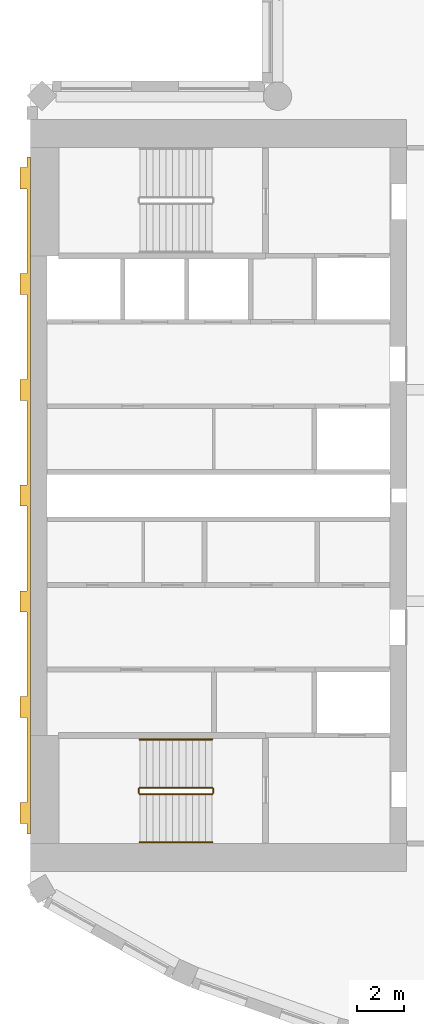
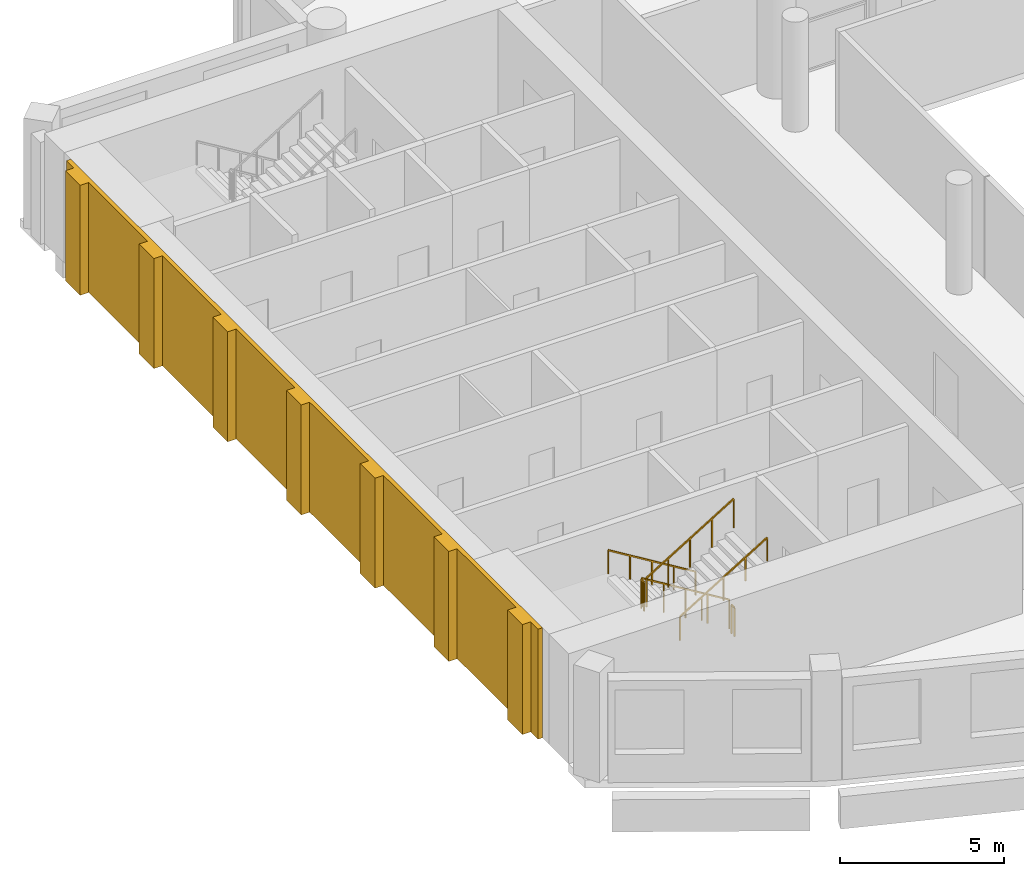
# One storey, part 11 of 15: 6 railings, 1 covering.
"""IFC4 building model written with IfcOpenShell, lengths in metres."""

from ifc_helpers import new_model, si_unit, direction, frame, origin, origin_2d, place, context, subcontext, project, spatial, polyline, rectangle, outline, extrude, material, layer, layer_set, type_object, element, save


model = new_model("IFC4")

# Units and contexts
model_context = context("Model", 3, precision=1e-05, world=origin(), true_north=direction((0.0, 1.0)))
body_context = subcontext(model_context, "Body", "Model", "MODEL_VIEW")
ifc_project = project(units=[si_unit("LENGTHUNIT", "METRE"), si_unit("AREAUNIT", "SQUARE_METRE"), si_unit("VOLUMEUNIT", "CUBIC_METRE"), si_unit("PLANEANGLEUNIT", "RADIAN"), si_unit("MASSUNIT", "GRAM", prefix="KILO")], contexts=[model_context])

# Site, building, storey
site_placement = place(None, origin())
site = spatial("IfcSite", under=ifc_project, at=site_placement, CompositionType="ELEMENT")
building_placement = place(site_placement, origin())
building = spatial("IfcBuilding", under=site, at=building_placement, Name="Cypress Arch Tower", CompositionType="ELEMENT")
storey_placement = place(building_placement, frame((0.0, 0.0, 317.199951171875)))
storey = spatial("IfcBuildingStorey", under=building, at=storey_placement, Name="L72", CompositionType="ELEMENT", Elevation=317.199951171875)

# Railings
ifc_material_1 = material(Name="Black powder-coated steel square bar 48 mm", Category="steel")
railing_type_1 = type_object("IfcRailingType", Name="Stair handrail HR1", PredefinedType="HANDRAIL", material=ifc_material_1)
railing_1_placement = place(storey_placement, frame((-22.27490234375, -10.375, 0.1708984375)))
element("IfcRailing", 1, at=railing_1_placement, inside=storey, type_object=railing_type_1, Name="L72 A stair handrail 1", PredefinedType="HANDRAIL", context=body_context, shape_type="SweptSolid", body=[
    extrude(rectangle(XDim=0.048095703125, YDim=0.048095703125, at=origin_2d()), frame((0.0, 0.0, 0.8759765625), z_axis=(-0.853666305674, 0.0, 0.52082035152), x_axis=(0.0, -1.0, 0.0)), (0.0, 0.0, 1.0), 3.608154296875),
    extrude(rectangle(XDim=0.0419921875, YDim=0.0419921875, at=origin_2d()), origin(), (0.0, 0.0, 1.0), 0.851806640625),
    extrude(rectangle(XDim=0.0419921875, YDim=0.0419921875, at=origin_2d()), frame((-0.77001953125, 0.0, 0.4697265625)), (0.0, 0.0, 1.0), 0.851806640625),
    extrude(rectangle(XDim=0.0419921875, YDim=0.0419921875, at=origin_2d()), frame((-1.5400390625, 0.0, 0.939453125)), (0.0, 0.0, 1.0), 0.851806640625),
    extrude(rectangle(XDim=0.0419921875, YDim=0.0419921875, at=origin_2d()), frame((-2.31005859375, 0.0, 1.409423828125)), (0.0, 0.0, 1.0), 0.851806640625),
    extrude(rectangle(XDim=0.0419921875, YDim=0.0419921875, at=origin_2d()), frame((-3.080078125, 0.0, 1.879150390625)), (0.0, 0.0, 1.0), 0.851806640625),
])
railing_2_placement = place(storey_placement, frame((-25.35498046875, -14.75, 2.220947265625)))
element("IfcRailing", 2, at=railing_2_placement, inside=storey, type_object=railing_type_1, Name="L72 A stair handrail 2", PredefinedType="HANDRAIL", context=body_context, shape_type="SweptSolid", body=[
    extrude(rectangle(XDim=0.048095703125, YDim=0.048095703125, at=origin_2d()), frame((0.0, 0.0, 0.8759765625), z_axis=(0.853666305674, 0.0, 0.52082035152), x_axis=(0.0, 1.0, 0.0)), (0.0, 0.0, 1.0), 3.608154296875),
    extrude(rectangle(XDim=0.0419921875, YDim=0.0419921875, at=origin_2d()), origin(), (0.0, 0.0, 1.0), 0.851806640625),
    extrude(rectangle(XDim=0.0419921875, YDim=0.0419921875, at=origin_2d()), frame((0.77001953125, 0.0, 0.4697265625)), (0.0, 0.0, 1.0), 0.851806640625),
    extrude(rectangle(XDim=0.0419921875, YDim=0.0419921875, at=origin_2d()), frame((1.5400390625, 0.0, 0.939453125)), (0.0, 0.0, 1.0), 0.851806640625),
    extrude(rectangle(XDim=0.0419921875, YDim=0.0419921875, at=origin_2d()), frame((2.31005859375, 0.0, 1.409423828125)), (0.0, 0.0, 1.0), 0.851806640625),
    extrude(rectangle(XDim=0.0419921875, YDim=0.0419921875, at=origin_2d()), frame((3.080078125, 0.0, 1.879150390625)), (0.0, 0.0, 1.0), 0.851806640625),
])
ifc_material_2 = material(Name="Black powder-coated steel balusters", Category="steel")
railing_type_2 = type_object("IfcRailingType", Name="Stair well guard G1", PredefinedType="GUARDRAIL", material=ifc_material_2)
railing_3_placement = place(storey_placement, frame((-22.27490234375, -12.425048828125, 0.1708984375)))
element("IfcRailing", 3, at=railing_3_placement, inside=storey, type_object=railing_type_2, Name="L72 A stair guard 1", PredefinedType="GUARDRAIL", context=body_context, shape_type="SweptSolid", body=[
    extrude(rectangle(XDim=0.048095703125, YDim=0.048095703125, at=origin_2d()), frame((0.0, 0.0, 1.076171875), z_axis=(-0.853666305674, 0.0, 0.52082035152), x_axis=(0.0, -1.0, 0.0)), (0.0, 0.0, 1.0), 3.608154296875),
    extrude(rectangle(XDim=0.0419921875, YDim=0.0419921875, at=origin_2d()), origin(), (0.0, 0.0, 1.0), 1.052001953125),
    extrude(rectangle(XDim=0.0419921875, YDim=0.0419921875, at=origin_2d()), frame((-0.77001953125, 0.0, 0.4697265625)), (0.0, 0.0, 1.0), 1.052001953125),
    extrude(rectangle(XDim=0.0419921875, YDim=0.0419921875, at=origin_2d()), frame((-1.5400390625, 0.0, 0.939453125)), (0.0, 0.0, 1.0), 1.052001953125),
    extrude(rectangle(XDim=0.0419921875, YDim=0.0419921875, at=origin_2d()), frame((-2.31005859375, 0.0, 1.409423828125)), (0.0, 0.0, 1.0), 1.052001953125),
    extrude(rectangle(XDim=0.0419921875, YDim=0.0419921875, at=origin_2d()), frame((-3.080078125, 0.0, 1.879150390625)), (0.0, 0.0, 1.0), 1.052001953125),
])
railing_4_placement = place(storey_placement, frame((-25.405029296875, -12.47509765625, 2.050048828125)))
element("IfcRailing", 4, at=railing_4_placement, inside=storey, type_object=railing_type_2, Name="L72 A stair guard 2", PredefinedType="GUARDRAIL", context=body_context, shape_type="SweptSolid", body=[
    extrude(rectangle(XDim=0.048095703125, YDim=0.048095703125, at=origin_2d()), frame((0.0, 0.0, 1.076171875), z_axis=(0.0, -1.0, 0.0), x_axis=(1.0, 0.0, 0.0)), (0.0, 0.0, 1.0), 0.1748046875),
    extrude(rectangle(XDim=0.0419921875, YDim=0.0419921875, at=origin_2d()), origin(), (0.0, 0.0, 1.0), 1.052001953125),
    extrude(rectangle(XDim=0.0419921875, YDim=0.0419921875, at=origin_2d()), frame((0.0, -0.1748046875, 0.0)), (0.0, 0.0, 1.0), 1.052001953125),
])
railing_5_placement = place(storey_placement, frame((-25.35498046875, -12.699951171875, 2.220947265625)))
element("IfcRailing", 5, at=railing_5_placement, inside=storey, type_object=railing_type_2, Name="L72 A stair guard 3", PredefinedType="GUARDRAIL", context=body_context, shape_type="SweptSolid", body=[
    extrude(rectangle(XDim=0.048095703125, YDim=0.048095703125, at=origin_2d()), frame((0.0, 0.0, 1.076171875), z_axis=(0.853666305674, 0.0, 0.52082035152), x_axis=(0.0, 1.0, 0.0)), (0.0, 0.0, 1.0), 3.608154296875),
    extrude(rectangle(XDim=0.0419921875, YDim=0.0419921875, at=origin_2d()), origin(), (0.0, 0.0, 1.0), 1.052001953125),
    extrude(rectangle(XDim=0.0419921875, YDim=0.0419921875, at=origin_2d()), frame((0.77001953125, 0.0, 0.4697265625)), (0.0, 0.0, 1.0), 1.052001953125),
    extrude(rectangle(XDim=0.0419921875, YDim=0.0419921875, at=origin_2d()), frame((1.5400390625, 0.0, 0.939453125)), (0.0, 0.0, 1.0), 1.052001953125),
    extrude(rectangle(XDim=0.0419921875, YDim=0.0419921875, at=origin_2d()), frame((2.31005859375, 0.0, 1.409423828125)), (0.0, 0.0, 1.0), 1.052001953125),
    extrude(rectangle(XDim=0.0419921875, YDim=0.0419921875, at=origin_2d()), frame((3.080078125, 0.0, 1.879150390625)), (0.0, 0.0, 1.0), 1.052001953125),
])
railing_6_placement = place(storey_placement, frame((-22.22509765625, -12.47509765625, 0.0)))
element("IfcRailing", 6, at=railing_6_placement, inside=storey, type_object=railing_type_2, Name="L72 A stair guard 4", PredefinedType="GUARDRAIL", context=body_context, shape_type="SweptSolid", body=[
    extrude(rectangle(XDim=0.048095703125, YDim=0.048095703125, at=origin_2d()), frame((0.0, 0.0, 1.076171875), z_axis=(0.0, -1.0, 0.0), x_axis=(1.0, 0.0, 0.0)), (0.0, 0.0, 1.0), 0.1748046875),
    extrude(rectangle(XDim=0.0419921875, YDim=0.0419921875, at=origin_2d()), origin(), (0.0, 0.0, 1.0), 1.052001953125),
    extrude(rectangle(XDim=0.0419921875, YDim=0.0419921875, at=origin_2d()), frame((0.0, -0.1748046875, 0.0)), (0.0, 0.0, 1.0), 1.052001953125),
])

# Covering
ifc_material_3 = material(Name="Brick (red buff blend)", Category="masonry")
ifc_layer = layer(ifc_material_3, 0.449951171875)
ifc_layer_set = layer_set([ifc_layer], Name="West face brick piers WP450")
covering_type = type_object("IfcCoveringType", Name="West face brick piers WP450", PredefinedType="CLADDING", material=ifc_layer_set)
covering_placement = place(storey_placement, origin())
element("IfcCovering", 7, at=covering_placement, inside=storey, type_object=covering_type, Name="West face brick piers L72", PredefinedType="CLADDING", context=body_context, shape_type="SweptSolid", body=[
    extrude(outline(polyline([(-30.14990234375, -13.050048828125), (-30.14990234375, -9.449951171875), (-30.449951171875, -9.449951171875), (-30.449951171875, -8.550048828125), (-30.14990234375, -8.550048828125), (-30.14990234375, -4.949951171875), (-30.449951171875, -4.949951171875), (-30.449951171875, -4.050048828125), (-30.14990234375, -4.050048828125), (-30.14990234375, -0.449951171875), (-30.449951171875, -0.449951171875), (-30.449951171875, 0.449951171875), (-30.14990234375, 0.449951171875), (-30.14990234375, 4.050048828125), (-30.449951171875, 4.050048828125), (-30.449951171875, 4.949951171875), (-30.14990234375, 4.949951171875), (-30.14990234375, 8.550048828125), (-30.449951171875, 8.550048828125), (-30.449951171875, 9.449951171875), (-30.14990234375, 9.449951171875), (-30.14990234375, 13.050048828125), (-30.449951171875, 13.050048828125), (-30.449951171875, 13.949951171875), (-30.14990234375, 13.949951171875), (-30.14990234375, 14.39990234375), (-30.0, 14.39990234375), (-30.0, -14.39990234375), (-30.14990234375, -14.39990234375), (-30.14990234375, -13.949951171875), (-30.449951171875, -13.949951171875), (-30.449951171875, -13.050048828125), (-30.14990234375, -13.050048828125)])), origin(), (0.0, 0.0, 1.0), 4.10009765625),
])

save(model, "model.ifc")
